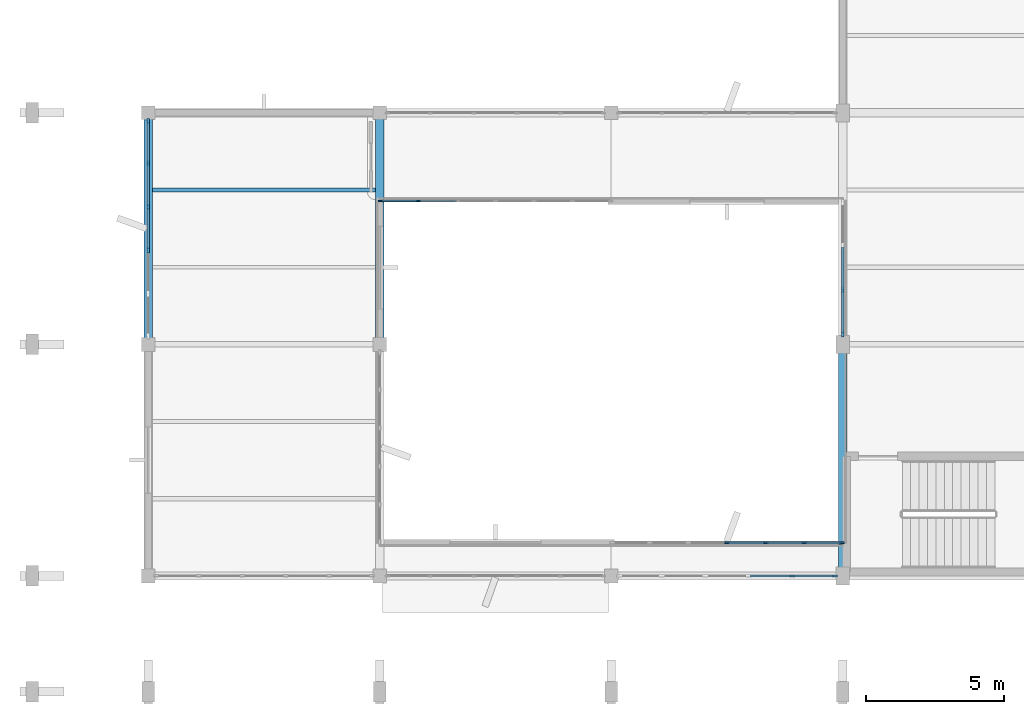
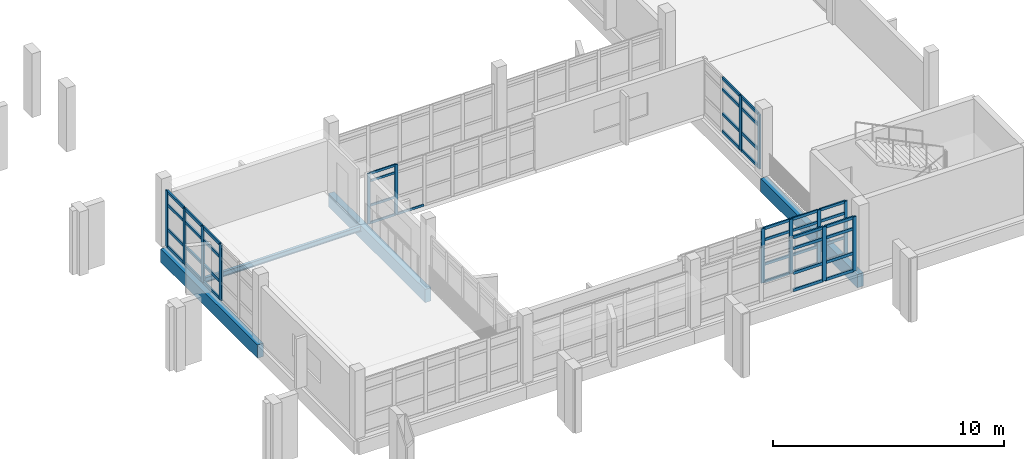
# One storey, part 8 of 104: 59 members, 4 beams, 5 elements without a shape of their own.
"""IFC4 building model written with IfcOpenShell, lengths in metres."""

from ifc_helpers import new_model, si_unit, direction, frame, origin, origin_2d, place, context, subcontext, project, spatial, rectangle, i_section, extrude, material, material_profile, profile_set, type_object, element, aggregate, save


model = new_model("IFC4")

# Units and contexts
model_context = context("Model", 3, precision=1e-05, world=origin(), true_north=direction((0.0, 1.0)))
body_context = subcontext(model_context, "Body", "Model", "MODEL_VIEW")
ifc_project = project(units=[si_unit("LENGTHUNIT", "METRE"), si_unit("AREAUNIT", "SQUARE_METRE"), si_unit("VOLUMEUNIT", "CUBIC_METRE"), si_unit("PLANEANGLEUNIT", "RADIAN"), si_unit("MASSUNIT", "GRAM", prefix="KILO")], contexts=[model_context])

# Site, building, storey
site_placement = place(None, origin())
site = spatial("IfcSite", under=ifc_project, at=site_placement, CompositionType="ELEMENT")
building_placement = place(site_placement, origin())
building = spatial("IfcBuilding", under=site, at=building_placement, Name="Vanh Quang Courtyard School", CompositionType="ELEMENT")
storey_placement = place(building_placement, frame((0.0, 0.0, 4.199951171875)))
storey = spatial("IfcBuildingStorey", under=building, at=storey_placement, Name="L01", CompositionType="ELEMENT", Elevation=4.199951171875)

# Beams
ifc_material_1 = material(Name="Concrete C35/45", Category="concrete")
ifc_material_profile_1 = material_profile(ifc_material_1, rectangle(XDim=0.300048828125, YDim=0.699951171875, at=origin_2d()), Name="RC-SP 300x700")
ifc_profile_set_1 = profile_set([ifc_material_profile_1], Name="Concrete C35/45")
beam_type_1 = type_object("IfcBeamType", Name="BM-SP-300x700", PredefinedType="SPANDREL", material=ifc_profile_set_1)
for number, where, z_axis, x_axis, name in (
    (1, (4.199951171875, 12.60009765625, -0.6298828125), (0.0, 1.0, 0.0), (-1.0, 0.0, 0.0), "Beam BS-01 (L01)"),
    (2, (12.60009765625, 12.60009765625, -0.6298828125), (0.0, 1.0, 0.0), (-1.0, 0.0, 0.0), "Beam BS-01 (L01)"),
):
    element("IfcBeam", number, at=place(storey_placement, frame(where, z_axis=z_axis, x_axis=x_axis)), inside=storey, type_object=beam_type_1, Name=name, PredefinedType="SPANDREL", context=body_context, shape_type="SweptSolid", body=[
        extrude(rectangle(XDim=0.300048828125, YDim=0.699951171875, at=origin_2d()), origin(), (0.0, 0.0, 1.0), 8.39990234375),
    ])
beam_1_placement = place(storey_placement, frame((29.39990234375, 4.199951171875, -0.6298828125), z_axis=(0.0, 1.0, 0.0), x_axis=(-1.0, 0.0, 0.0)))
element("IfcBeam", 3, at=beam_1_placement, inside=storey, type_object=beam_type_1, Name="Beam BS-01 (L01)", PredefinedType="SPANDREL", context=body_context, shape_type="SweptSolid", body=[
    extrude(rectangle(XDim=0.300048828125, YDim=0.699951171875, at=origin_2d()), origin(), (0.0, 0.0, 1.0), 8.400146484375),
])

# Curtain wall, members
ifc_material_2 = material(Name="Thermally broken aluminium unitised curtain wall", Category="aluminium")
curtain_wall_type_1 = type_object("IfcCurtainWallType", Name="CW-SYS-33", PredefinedType="NOTDEFINED", material=ifc_material_2)
curtain_wall_1_placement = place(storey_placement, origin())
curtain_wall_1 = element("IfcCurtainWall", 4, at=curtain_wall_1_placement, inside=storey, type_object=curtain_wall_type_1, Name="Curtain Wall CW-33 (L01)", PredefinedType="NOTDEFINED")
ifc_material_3 = material(Name="Anodised aluminium 6063-T6", Category="aluminium")
ifc_material_profile_2 = material_profile(ifc_material_3, rectangle(XDim=0.06005859375, YDim=0.159912109375, at=origin_2d()), Name="ALU-MUL 60x160")
ifc_profile_set_2 = profile_set([ifc_material_profile_2], Name="Anodised aluminium 6063-T6")
member_type_1 = type_object("IfcMemberType", Name="CW-MUL-60x160", PredefinedType="MULLION", material=ifc_profile_set_2)
member_1_placement = place(storey_placement, frame((14.0, 17.800048828125, 0.0), z_axis=(0.0, 0.0, 1.0), x_axis=(0.0, -1.0, 0.0)))
member_1 = element("IfcMember", 5, at=member_1_placement, type_object=member_type_1, Name="CW-33 mullion 6", PredefinedType="MULLION", context=body_context, shape_type="SweptSolid", body=[
    extrude(rectangle(XDim=0.06005859375, YDim=0.159912109375, at=origin_2d()), origin(), (0.0, 0.0, 1.0), 2.670166015625),
])
member_2_placement = place(storey_placement, frame((12.6298828125, 17.800048828125, 0.0), z_axis=(0.0, 0.0, 1.0), x_axis=(0.0, -1.0, 0.0)))
member_2 = element("IfcMember", 6, at=member_2_placement, type_object=member_type_1, Name="CW-33 mullion 7", PredefinedType="MULLION", context=body_context, shape_type="SweptSolid", body=[
    extrude(rectangle(XDim=0.06005859375, YDim=0.159912109375, at=origin_2d()), origin(), (0.0, 0.0, 1.0), 2.670166015625),
])

curtain_wall_type_2 = type_object("IfcCurtainWallType", Name="CW-SYS-31", PredefinedType="NOTDEFINED", material=ifc_material_2)
curtain_wall_2_placement = place(storey_placement, origin())
curtain_wall_2 = element("IfcCurtainWall", 7, at=curtain_wall_2_placement, inside=storey, type_object=curtain_wall_type_2, Name="Curtain Wall CW-31 (L01)", PredefinedType="NOTDEFINED")
ifc_material_profile_3 = material_profile(ifc_material_3, rectangle(XDim=0.070068359375, YDim=0.179931640625, at=origin_2d()), Name="ALU-MUL 70x180")
ifc_profile_set_3 = profile_set([ifc_material_profile_3], Name="Anodised aluminium 6063-T6")
member_type_2 = type_object("IfcMemberType", Name="CW-MUL-70x180", PredefinedType="MULLION", material=ifc_profile_set_3)
member_3_placement = place(storey_placement, frame((25.199951171875, 5.39990234375, 0.0), z_axis=(0.0, 0.0, 1.0), x_axis=(0.0, 1.0, 0.0)))
member_3 = element("IfcMember", 8, at=member_3_placement, type_object=member_type_2, Name="CW-31 mullion 4", PredefinedType="MULLION", context=body_context, shape_type="SweptSolid", body=[
    extrude(rectangle(XDim=0.070068359375, YDim=0.179931640625, at=origin_2d()), origin(), (0.0, 0.0, 1.0), 2.880126953125),
])
member_4_placement = place(storey_placement, frame((26.60009765625, 5.39990234375, 0.0), z_axis=(0.0, 0.0, 1.0), x_axis=(0.0, 1.0, 0.0)))
member_4 = element("IfcMember", 9, at=member_4_placement, type_object=member_type_2, Name="CW-31 mullion 5", PredefinedType="MULLION", context=body_context, shape_type="SweptSolid", body=[
    extrude(rectangle(XDim=0.070068359375, YDim=0.179931640625, at=origin_2d()), origin(), (0.0, 0.0, 1.0), 2.880126953125),
])
member_5_placement = place(storey_placement, frame((28.0, 5.39990234375, 0.0), z_axis=(0.0, 0.0, 1.0), x_axis=(0.0, 1.0, 0.0)))
member_5 = element("IfcMember", 10, at=member_5_placement, type_object=member_type_2, Name="CW-31 mullion 6", PredefinedType="MULLION", context=body_context, shape_type="SweptSolid", body=[
    extrude(rectangle(XDim=0.070068359375, YDim=0.179931640625, at=origin_2d()), origin(), (0.0, 0.0, 1.0), 2.880126953125),
])
member_6_placement = place(storey_placement, frame((29.364990234375, 5.39990234375, 0.0), z_axis=(0.0, 0.0, 1.0), x_axis=(0.0, 1.0, 0.0)))
member_6 = element("IfcMember", 11, at=member_6_placement, type_object=member_type_2, Name="CW-31 mullion 7", PredefinedType="MULLION", context=body_context, shape_type="SweptSolid", body=[
    extrude(rectangle(XDim=0.070068359375, YDim=0.179931640625, at=origin_2d()), origin(), (0.0, 0.0, 1.0), 2.880126953125),
])

curtain_wall_type_3 = type_object("IfcCurtainWallType", Name="CW-SYS-29", PredefinedType="NOTDEFINED", material=ifc_material_2)
curtain_wall_3_placement = place(storey_placement, origin())
curtain_wall_3 = element("IfcCurtainWall", 12, at=curtain_wall_3_placement, inside=storey, type_object=curtain_wall_type_3, Name="Curtain Wall CW-29 (L01)", PredefinedType="NOTDEFINED")
ifc_material_profile_4 = material_profile(ifc_material_3, rectangle(XDim=0.080078125, YDim=0.199951171875, at=origin_2d()), Name="ALU-MUL 80x200")
ifc_profile_set_4 = profile_set([ifc_material_profile_4], Name="Anodised aluminium 6063-T6")
member_type_3 = type_object("IfcMemberType", Name="CW-MUL-80x200", PredefinedType="MULLION", material=ifc_profile_set_4)
member_7_placement = place(storey_placement, frame((29.10205078125, 4.199951171875, 0.0), z_axis=(0.0, 0.0, 1.0), x_axis=(0.0, -1.0, 0.0)))
member_7 = element("IfcMember", 13, at=member_7_placement, type_object=member_type_3, Name="CW-29 mullion 1", PredefinedType="MULLION", context=body_context, shape_type="SweptSolid", body=[
    extrude(rectangle(XDim=0.080078125, YDim=0.199951171875, at=origin_2d()), origin(), (0.0, 0.0, 1.0), 2.8701171875),
])
member_8_placement = place(storey_placement, frame((27.565185546875, 4.199951171875, 0.0), z_axis=(0.0, 0.0, 1.0), x_axis=(0.0, -1.0, 0.0)))
member_8 = element("IfcMember", 14, at=member_8_placement, type_object=member_type_3, Name="CW-29 mullion 2", PredefinedType="MULLION", context=body_context, shape_type="SweptSolid", body=[
    extrude(rectangle(XDim=0.080078125, YDim=0.199951171875, at=origin_2d()), origin(), (0.0, 0.0, 1.0), 2.8701171875),
])

curtain_wall_type_4 = type_object("IfcCurtainWallType", Name="CW-SYS-30", PredefinedType="NOTDEFINED", material=ifc_material_2)
curtain_wall_4_placement = place(storey_placement, origin())
curtain_wall_4 = element("IfcCurtainWall", 15, at=curtain_wall_4_placement, inside=storey, type_object=curtain_wall_type_4, Name="Curtain Wall CW-30 (L01)", PredefinedType="NOTDEFINED")
member_9_placement = place(storey_placement, frame((4.199951171875, 16.01171875, 0.0), z_axis=(0.0, 0.0, 1.0), x_axis=(-1.0, 0.0, 0.0)))
member_9 = element("IfcMember", 16, at=member_9_placement, type_object=member_type_3, Name="CW-30 mullion 3", PredefinedType="MULLION", context=body_context, shape_type="SweptSolid", body=[
    extrude(rectangle(XDim=0.080078125, YDim=0.199951171875, at=origin_2d()), origin(), (0.0, 0.0, 1.0), 2.9599609375),
])
member_10_placement = place(storey_placement, frame((4.199951171875, 17.58837890625, 0.0), z_axis=(0.0, 0.0, 1.0), x_axis=(-1.0, 0.0, 0.0)))
member_10 = element("IfcMember", 17, at=member_10_placement, type_object=member_type_3, Name="CW-30 mullion 4", PredefinedType="MULLION", context=body_context, shape_type="SweptSolid", body=[
    extrude(rectangle(XDim=0.080078125, YDim=0.199951171875, at=origin_2d()), origin(), (0.0, 0.0, 1.0), 2.9599609375),
])
member_11_placement = place(storey_placement, frame((4.199951171875, 19.165283203125, 0.0), z_axis=(0.0, 0.0, 1.0), x_axis=(-1.0, 0.0, 0.0)))
member_11 = element("IfcMember", 18, at=member_11_placement, type_object=member_type_3, Name="CW-30 mullion 5", PredefinedType="MULLION", context=body_context, shape_type="SweptSolid", body=[
    extrude(rectangle(XDim=0.080078125, YDim=0.199951171875, at=origin_2d()), origin(), (0.0, 0.0, 1.0), 2.9599609375),
])
member_12_placement = place(storey_placement, frame((4.199951171875, 20.701904296875, 0.0), z_axis=(0.0, 0.0, 1.0), x_axis=(-1.0, 0.0, 0.0)))
member_12 = element("IfcMember", 19, at=member_12_placement, type_object=member_type_3, Name="CW-30 mullion 6", PredefinedType="MULLION", context=body_context, shape_type="SweptSolid", body=[
    extrude(rectangle(XDim=0.080078125, YDim=0.199951171875, at=origin_2d()), origin(), (0.0, 0.0, 1.0), 2.9599609375),
])

curtain_wall_type_5 = type_object("IfcCurtainWallType", Name="CW-SYS-32", PredefinedType="NOTDEFINED", material=ifc_material_2)
curtain_wall_5_placement = place(storey_placement, origin())
curtain_wall_5 = element("IfcCurtainWall", 20, at=curtain_wall_5_placement, inside=storey, type_object=curtain_wall_type_5, Name="Curtain Wall CW-32 (L01)", PredefinedType="NOTDEFINED")
member_13_placement = place(storey_placement, frame((29.39990234375, 12.972900390625, 0.0), z_axis=(0.0, 0.0, 1.0), x_axis=(-1.0, 0.0, 0.0)))
member_13 = element("IfcMember", 21, at=member_13_placement, type_object=member_type_3, Name="CW-32 mullion 1", PredefinedType="MULLION", context=body_context, shape_type="SweptSolid", body=[
    extrude(rectangle(XDim=0.080078125, YDim=0.199951171875, at=origin_2d()), origin(), (0.0, 0.0, 1.0), 2.880126953125),
])
member_14_placement = place(storey_placement, frame((29.39990234375, 14.555419921875, 0.0), z_axis=(0.0, 0.0, 1.0), x_axis=(-1.0, 0.0, 0.0)))
member_14 = element("IfcMember", 22, at=member_14_placement, type_object=member_type_3, Name="CW-32 mullion 2", PredefinedType="MULLION", context=body_context, shape_type="SweptSolid", body=[
    extrude(rectangle(XDim=0.080078125, YDim=0.199951171875, at=origin_2d()), origin(), (0.0, 0.0, 1.0), 2.880126953125),
])

# Member
ifc_material_profile_5 = material_profile(ifc_material_3, rectangle(XDim=0.06005859375, YDim=0.1201171875, at=origin_2d()), Name="ALU-TRN 60x120")
ifc_profile_set_5 = profile_set([ifc_material_profile_5], Name="Anodised aluminium 6063-T6")
member_type_4 = type_object("IfcMemberType", Name="CW-TRN-60x120", PredefinedType="USERDEFINED", material=ifc_profile_set_5)
member_15_placement = place(storey_placement, frame((15.3701171875, 17.800048828125, 0.030029296875), z_axis=(-1.0, 0.0, 0.0), x_axis=(0.0, -1.0, 0.0)))
member_15 = element("IfcMember", 23, at=member_15_placement, type_object=member_type_4, Name="CW-33 transom 5.1", ObjectType="TRANSOM", PredefinedType="USERDEFINED", context=body_context, shape_type="SweptSolid", body=[
    extrude(rectangle(XDim=0.06005859375, YDim=0.1201171875, at=origin_2d()), origin(), (0.0, 0.0, 1.0), 1.340087890625),
])

member_16_placement = place(storey_placement, frame((13.969970703125, 17.800048828125, 0.030029296875), z_axis=(-1.0, 0.0, 0.0), x_axis=(0.0, -1.0, 0.0)))
member_16 = element("IfcMember", 24, at=member_16_placement, type_object=member_type_4, Name="CW-33 transom 6.1", ObjectType="TRANSOM", PredefinedType="USERDEFINED", context=body_context, shape_type="SweptSolid", body=[
    extrude(rectangle(XDim=0.06005859375, YDim=0.1201171875, at=origin_2d()), origin(), (0.0, 0.0, 1.0), 1.31005859375),
])

member_17_placement = place(storey_placement, frame((13.969970703125, 17.800048828125, 0.949951171875), z_axis=(-1.0, 0.0, 0.0), x_axis=(0.0, -1.0, 0.0)))
member_17 = element("IfcMember", 25, at=member_17_placement, type_object=member_type_4, Name="CW-33 transom 6.2", ObjectType="TRANSOM", PredefinedType="USERDEFINED", context=body_context, shape_type="SweptSolid", body=[
    extrude(rectangle(XDim=0.06005859375, YDim=0.1201171875, at=origin_2d()), origin(), (0.0, 0.0, 1.0), 1.31005859375),
])

member_18_placement = place(storey_placement, frame((13.969970703125, 17.800048828125, 2.25), z_axis=(-1.0, 0.0, 0.0), x_axis=(0.0, -1.0, 0.0)))
member_18 = element("IfcMember", 26, at=member_18_placement, type_object=member_type_4, Name="CW-33 transom 6.3", ObjectType="TRANSOM", PredefinedType="USERDEFINED", context=body_context, shape_type="SweptSolid", body=[
    extrude(rectangle(XDim=0.06005859375, YDim=0.1201171875, at=origin_2d()), origin(), (0.0, 0.0, 1.0), 1.31005859375),
])

member_19_placement = place(storey_placement, frame((13.969970703125, 17.800048828125, 2.64013671875), z_axis=(-1.0, 0.0, 0.0), x_axis=(0.0, -1.0, 0.0)))
member_19 = element("IfcMember", 27, at=member_19_placement, type_object=member_type_4, Name="CW-33 transom 6.4", ObjectType="TRANSOM", PredefinedType="USERDEFINED", context=body_context, shape_type="SweptSolid", body=[
    extrude(rectangle(XDim=0.06005859375, YDim=0.1201171875, at=origin_2d()), origin(), (0.0, 0.0, 1.0), 1.31005859375),
])

aggregate(curtain_wall_1, [member_1, member_2, member_15, member_16, member_17, member_18, member_19])

ifc_material_profile_6 = material_profile(ifc_material_3, rectangle(XDim=0.070068359375, YDim=0.139892578125, at=origin_2d()), Name="ALU-TRN 70x140")
ifc_profile_set_6 = profile_set([ifc_material_profile_6], Name="Anodised aluminium 6063-T6")
member_type_5 = type_object("IfcMemberType", Name="CW-TRN-70x140", PredefinedType="USERDEFINED", material=ifc_profile_set_6)
member_20_placement = place(storey_placement, frame((25.235107421875, 5.39990234375, 0.03515625), z_axis=(1.0, 0.0, 0.0), x_axis=(0.0, 1.0, 0.0)))
member_20 = element("IfcMember", 28, at=member_20_placement, type_object=member_type_5, Name="CW-31 transom 4.1", ObjectType="TRANSOM", PredefinedType="USERDEFINED", context=body_context, shape_type="SweptSolid", body=[
    extrude(rectangle(XDim=0.070068359375, YDim=0.139892578125, at=origin_2d()), origin(), (0.0, 0.0, 1.0), 1.329833984375),
])

member_21_placement = place(storey_placement, frame((25.235107421875, 5.39990234375, 0.949951171875), z_axis=(1.0, 0.0, 0.0), x_axis=(0.0, 1.0, 0.0)))
member_21 = element("IfcMember", 29, at=member_21_placement, type_object=member_type_5, Name="CW-31 transom 4.2", ObjectType="TRANSOM", PredefinedType="USERDEFINED", context=body_context, shape_type="SweptSolid", body=[
    extrude(rectangle(XDim=0.070068359375, YDim=0.139892578125, at=origin_2d()), origin(), (0.0, 0.0, 1.0), 1.329833984375),
])

member_22_placement = place(storey_placement, frame((25.235107421875, 5.39990234375, 2.25), z_axis=(1.0, 0.0, 0.0), x_axis=(0.0, 1.0, 0.0)))
member_22 = element("IfcMember", 30, at=member_22_placement, type_object=member_type_5, Name="CW-31 transom 4.3", ObjectType="TRANSOM", PredefinedType="USERDEFINED", context=body_context, shape_type="SweptSolid", body=[
    extrude(rectangle(XDim=0.070068359375, YDim=0.139892578125, at=origin_2d()), origin(), (0.0, 0.0, 1.0), 1.329833984375),
])

member_23_placement = place(storey_placement, frame((25.235107421875, 5.39990234375, 2.844970703125), z_axis=(1.0, 0.0, 0.0), x_axis=(0.0, 1.0, 0.0)))
member_23 = element("IfcMember", 31, at=member_23_placement, type_object=member_type_5, Name="CW-31 transom 4.4", ObjectType="TRANSOM", PredefinedType="USERDEFINED", context=body_context, shape_type="SweptSolid", body=[
    extrude(rectangle(XDim=0.070068359375, YDim=0.139892578125, at=origin_2d()), origin(), (0.0, 0.0, 1.0), 1.329833984375),
])

member_24_placement = place(storey_placement, frame((26.635009765625, 5.39990234375, 0.03515625), z_axis=(1.0, 0.0, 0.0), x_axis=(0.0, 1.0, 0.0)))
member_24 = element("IfcMember", 32, at=member_24_placement, type_object=member_type_5, Name="CW-31 transom 5.1", ObjectType="TRANSOM", PredefinedType="USERDEFINED", context=body_context, shape_type="SweptSolid", body=[
    extrude(rectangle(XDim=0.070068359375, YDim=0.139892578125, at=origin_2d()), origin(), (0.0, 0.0, 1.0), 1.330078125),
])

member_25_placement = place(storey_placement, frame((26.635009765625, 5.39990234375, 0.949951171875), z_axis=(1.0, 0.0, 0.0), x_axis=(0.0, 1.0, 0.0)))
member_25 = element("IfcMember", 33, at=member_25_placement, type_object=member_type_5, Name="CW-31 transom 5.2", ObjectType="TRANSOM", PredefinedType="USERDEFINED", context=body_context, shape_type="SweptSolid", body=[
    extrude(rectangle(XDim=0.070068359375, YDim=0.139892578125, at=origin_2d()), origin(), (0.0, 0.0, 1.0), 1.330078125),
])

member_26_placement = place(storey_placement, frame((26.635009765625, 5.39990234375, 2.25), z_axis=(1.0, 0.0, 0.0), x_axis=(0.0, 1.0, 0.0)))
member_26 = element("IfcMember", 34, at=member_26_placement, type_object=member_type_5, Name="CW-31 transom 5.3", ObjectType="TRANSOM", PredefinedType="USERDEFINED", context=body_context, shape_type="SweptSolid", body=[
    extrude(rectangle(XDim=0.070068359375, YDim=0.139892578125, at=origin_2d()), origin(), (0.0, 0.0, 1.0), 1.330078125),
])

member_27_placement = place(storey_placement, frame((26.635009765625, 5.39990234375, 2.844970703125), z_axis=(1.0, 0.0, 0.0), x_axis=(0.0, 1.0, 0.0)))
member_27 = element("IfcMember", 35, at=member_27_placement, type_object=member_type_5, Name="CW-31 transom 5.4", ObjectType="TRANSOM", PredefinedType="USERDEFINED", context=body_context, shape_type="SweptSolid", body=[
    extrude(rectangle(XDim=0.070068359375, YDim=0.139892578125, at=origin_2d()), origin(), (0.0, 0.0, 1.0), 1.330078125),
])

member_28_placement = place(storey_placement, frame((28.034912109375, 5.39990234375, 0.03515625), z_axis=(1.0, 0.0, 0.0), x_axis=(0.0, 1.0, 0.0)))
member_28 = element("IfcMember", 36, at=member_28_placement, type_object=member_type_5, Name="CW-31 transom 6.1", ObjectType="TRANSOM", PredefinedType="USERDEFINED", context=body_context, shape_type="SweptSolid", body=[
    extrude(rectangle(XDim=0.070068359375, YDim=0.139892578125, at=origin_2d()), origin(), (0.0, 0.0, 1.0), 1.295166015625),
])

member_29_placement = place(storey_placement, frame((28.034912109375, 5.39990234375, 0.949951171875), z_axis=(1.0, 0.0, 0.0), x_axis=(0.0, 1.0, 0.0)))
member_29 = element("IfcMember", 37, at=member_29_placement, type_object=member_type_5, Name="CW-31 transom 6.2", ObjectType="TRANSOM", PredefinedType="USERDEFINED", context=body_context, shape_type="SweptSolid", body=[
    extrude(rectangle(XDim=0.070068359375, YDim=0.139892578125, at=origin_2d()), origin(), (0.0, 0.0, 1.0), 1.295166015625),
])

member_30_placement = place(storey_placement, frame((28.034912109375, 5.39990234375, 2.25), z_axis=(1.0, 0.0, 0.0), x_axis=(0.0, 1.0, 0.0)))
member_30 = element("IfcMember", 38, at=member_30_placement, type_object=member_type_5, Name="CW-31 transom 6.3", ObjectType="TRANSOM", PredefinedType="USERDEFINED", context=body_context, shape_type="SweptSolid", body=[
    extrude(rectangle(XDim=0.070068359375, YDim=0.139892578125, at=origin_2d()), origin(), (0.0, 0.0, 1.0), 1.295166015625),
])

member_31_placement = place(storey_placement, frame((28.034912109375, 5.39990234375, 2.844970703125), z_axis=(1.0, 0.0, 0.0), x_axis=(0.0, 1.0, 0.0)))
member_31 = element("IfcMember", 39, at=member_31_placement, type_object=member_type_5, Name="CW-31 transom 6.4", ObjectType="TRANSOM", PredefinedType="USERDEFINED", context=body_context, shape_type="SweptSolid", body=[
    extrude(rectangle(XDim=0.070068359375, YDim=0.139892578125, at=origin_2d()), origin(), (0.0, 0.0, 1.0), 1.295166015625),
])

aggregate(curtain_wall_2, [member_3, member_4, member_5, member_6, member_20, member_21, member_22, member_23, member_24, member_25, member_26, member_27, member_28, member_29, member_30, member_31])

ifc_material_profile_7 = material_profile(ifc_material_3, rectangle(XDim=0.080078125, YDim=0.14990234375, at=origin_2d()), Name="ALU-TRN 80x150")
ifc_profile_set_7 = profile_set([ifc_material_profile_7], Name="Anodised aluminium 6063-T6")
member_type_6 = type_object("IfcMemberType", Name="CW-TRN-80x150", PredefinedType="USERDEFINED", material=ifc_profile_set_7)
member_32_placement = place(storey_placement, frame((29.06201171875, 4.199951171875, 0.0400390625), z_axis=(-1.0, 0.0, 0.0), x_axis=(0.0, -1.0, 0.0)))
member_32 = element("IfcMember", 40, at=member_32_placement, type_object=member_type_6, Name="CW-29 transom 1.1", ObjectType="TRANSOM", PredefinedType="USERDEFINED", context=body_context, shape_type="SweptSolid", body=[
    extrude(rectangle(XDim=0.080078125, YDim=0.14990234375, at=origin_2d()), origin(), (0.0, 0.0, 1.0), 1.456787109375),
])

member_33_placement = place(storey_placement, frame((29.06201171875, 4.199951171875, 0.949951171875), z_axis=(-1.0, 0.0, 0.0), x_axis=(0.0, -1.0, 0.0)))
member_33 = element("IfcMember", 41, at=member_33_placement, type_object=member_type_6, Name="CW-29 transom 1.2", ObjectType="TRANSOM", PredefinedType="USERDEFINED", context=body_context, shape_type="SweptSolid", body=[
    extrude(rectangle(XDim=0.080078125, YDim=0.14990234375, at=origin_2d()), origin(), (0.0, 0.0, 1.0), 1.456787109375),
])

member_34_placement = place(storey_placement, frame((29.06201171875, 4.199951171875, 2.25), z_axis=(-1.0, 0.0, 0.0), x_axis=(0.0, -1.0, 0.0)))
member_34 = element("IfcMember", 42, at=member_34_placement, type_object=member_type_6, Name="CW-29 transom 1.3", ObjectType="TRANSOM", PredefinedType="USERDEFINED", context=body_context, shape_type="SweptSolid", body=[
    extrude(rectangle(XDim=0.080078125, YDim=0.14990234375, at=origin_2d()), origin(), (0.0, 0.0, 1.0), 1.456787109375),
])

member_35_placement = place(storey_placement, frame((29.06201171875, 4.199951171875, 2.830078125), z_axis=(-1.0, 0.0, 0.0), x_axis=(0.0, -1.0, 0.0)))
member_35 = element("IfcMember", 43, at=member_35_placement, type_object=member_type_6, Name="CW-29 transom 1.4", ObjectType="TRANSOM", PredefinedType="USERDEFINED", context=body_context, shape_type="SweptSolid", body=[
    extrude(rectangle(XDim=0.080078125, YDim=0.14990234375, at=origin_2d()), origin(), (0.0, 0.0, 1.0), 1.456787109375),
])

member_36_placement = place(storey_placement, frame((27.525146484375, 4.199951171875, 0.0400390625), z_axis=(-1.0, 0.0, 0.0), x_axis=(0.0, -1.0, 0.0)))
member_36 = element("IfcMember", 44, at=member_36_placement, type_object=member_type_6, Name="CW-29 transom 2.1", ObjectType="TRANSOM", PredefinedType="USERDEFINED", context=body_context, shape_type="SweptSolid", body=[
    extrude(rectangle(XDim=0.080078125, YDim=0.14990234375, at=origin_2d()), origin(), (0.0, 0.0, 1.0), 1.496826171875),
])

member_37_placement = place(storey_placement, frame((27.525146484375, 4.199951171875, 0.949951171875), z_axis=(-1.0, 0.0, 0.0), x_axis=(0.0, -1.0, 0.0)))
member_37 = element("IfcMember", 45, at=member_37_placement, type_object=member_type_6, Name="CW-29 transom 2.2", ObjectType="TRANSOM", PredefinedType="USERDEFINED", context=body_context, shape_type="SweptSolid", body=[
    extrude(rectangle(XDim=0.080078125, YDim=0.14990234375, at=origin_2d()), origin(), (0.0, 0.0, 1.0), 1.496826171875),
])

member_38_placement = place(storey_placement, frame((27.525146484375, 4.199951171875, 2.25), z_axis=(-1.0, 0.0, 0.0), x_axis=(0.0, -1.0, 0.0)))
member_38 = element("IfcMember", 46, at=member_38_placement, type_object=member_type_6, Name="CW-29 transom 2.3", ObjectType="TRANSOM", PredefinedType="USERDEFINED", context=body_context, shape_type="SweptSolid", body=[
    extrude(rectangle(XDim=0.080078125, YDim=0.14990234375, at=origin_2d()), origin(), (0.0, 0.0, 1.0), 1.496826171875),
])

member_39_placement = place(storey_placement, frame((27.525146484375, 4.199951171875, 2.830078125), z_axis=(-1.0, 0.0, 0.0), x_axis=(0.0, -1.0, 0.0)))
member_39 = element("IfcMember", 47, at=member_39_placement, type_object=member_type_6, Name="CW-29 transom 2.4", ObjectType="TRANSOM", PredefinedType="USERDEFINED", context=body_context, shape_type="SweptSolid", body=[
    extrude(rectangle(XDim=0.080078125, YDim=0.14990234375, at=origin_2d()), origin(), (0.0, 0.0, 1.0), 1.496826171875),
])

aggregate(curtain_wall_3, [member_7, member_8, member_32, member_33, member_34, member_35, member_36, member_37, member_38, member_39])

member_40_placement = place(storey_placement, frame((4.199951171875, 16.051513671875, 0.0400390625), z_axis=(0.0, 1.0, 0.0), x_axis=(-1.0, 0.0, 0.0)))
member_40 = element("IfcMember", 48, at=member_40_placement, type_object=member_type_6, Name="CW-30 transom 3.1", ObjectType="TRANSOM", PredefinedType="USERDEFINED", context=body_context, shape_type="SweptSolid", body=[
    extrude(rectangle(XDim=0.080078125, YDim=0.14990234375, at=origin_2d()), origin(), (0.0, 0.0, 1.0), 1.496826171875),
])

member_41_placement = place(storey_placement, frame((4.199951171875, 16.051513671875, 0.949951171875), z_axis=(0.0, 1.0, 0.0), x_axis=(-1.0, 0.0, 0.0)))
member_41 = element("IfcMember", 49, at=member_41_placement, type_object=member_type_6, Name="CW-30 transom 3.2", ObjectType="TRANSOM", PredefinedType="USERDEFINED", context=body_context, shape_type="SweptSolid", body=[
    extrude(rectangle(XDim=0.080078125, YDim=0.14990234375, at=origin_2d()), origin(), (0.0, 0.0, 1.0), 1.496826171875),
])

member_42_placement = place(storey_placement, frame((4.199951171875, 16.051513671875, 2.25), z_axis=(0.0, 1.0, 0.0), x_axis=(-1.0, 0.0, 0.0)))
member_42 = element("IfcMember", 50, at=member_42_placement, type_object=member_type_6, Name="CW-30 transom 3.3", ObjectType="TRANSOM", PredefinedType="USERDEFINED", context=body_context, shape_type="SweptSolid", body=[
    extrude(rectangle(XDim=0.080078125, YDim=0.14990234375, at=origin_2d()), origin(), (0.0, 0.0, 1.0), 1.496826171875),
])

member_43_placement = place(storey_placement, frame((4.199951171875, 16.051513671875, 2.920166015625), z_axis=(0.0, 1.0, 0.0), x_axis=(-1.0, 0.0, 0.0)))
member_43 = element("IfcMember", 51, at=member_43_placement, type_object=member_type_6, Name="CW-30 transom 3.4", ObjectType="TRANSOM", PredefinedType="USERDEFINED", context=body_context, shape_type="SweptSolid", body=[
    extrude(rectangle(XDim=0.080078125, YDim=0.14990234375, at=origin_2d()), origin(), (0.0, 0.0, 1.0), 1.496826171875),
])

member_44_placement = place(storey_placement, frame((4.199951171875, 17.62841796875, 0.0400390625), z_axis=(0.0, 1.0, 0.0), x_axis=(-1.0, 0.0, 0.0)))
member_44 = element("IfcMember", 52, at=member_44_placement, type_object=member_type_6, Name="CW-30 transom 4.1", ObjectType="TRANSOM", PredefinedType="USERDEFINED", context=body_context, shape_type="SweptSolid", body=[
    extrude(rectangle(XDim=0.080078125, YDim=0.14990234375, at=origin_2d()), origin(), (0.0, 0.0, 1.0), 1.496826171875),
])

member_45_placement = place(storey_placement, frame((4.199951171875, 17.62841796875, 0.949951171875), z_axis=(0.0, 1.0, 0.0), x_axis=(-1.0, 0.0, 0.0)))
member_45 = element("IfcMember", 53, at=member_45_placement, type_object=member_type_6, Name="CW-30 transom 4.2", ObjectType="TRANSOM", PredefinedType="USERDEFINED", context=body_context, shape_type="SweptSolid", body=[
    extrude(rectangle(XDim=0.080078125, YDim=0.14990234375, at=origin_2d()), origin(), (0.0, 0.0, 1.0), 1.496826171875),
])

member_46_placement = place(storey_placement, frame((4.199951171875, 17.62841796875, 2.25), z_axis=(0.0, 1.0, 0.0), x_axis=(-1.0, 0.0, 0.0)))
member_46 = element("IfcMember", 54, at=member_46_placement, type_object=member_type_6, Name="CW-30 transom 4.3", ObjectType="TRANSOM", PredefinedType="USERDEFINED", context=body_context, shape_type="SweptSolid", body=[
    extrude(rectangle(XDim=0.080078125, YDim=0.14990234375, at=origin_2d()), origin(), (0.0, 0.0, 1.0), 1.496826171875),
])

member_47_placement = place(storey_placement, frame((4.199951171875, 17.62841796875, 2.920166015625), z_axis=(0.0, 1.0, 0.0), x_axis=(-1.0, 0.0, 0.0)))
member_47 = element("IfcMember", 55, at=member_47_placement, type_object=member_type_6, Name="CW-30 transom 4.4", ObjectType="TRANSOM", PredefinedType="USERDEFINED", context=body_context, shape_type="SweptSolid", body=[
    extrude(rectangle(XDim=0.080078125, YDim=0.14990234375, at=origin_2d()), origin(), (0.0, 0.0, 1.0), 1.496826171875),
])

member_48_placement = place(storey_placement, frame((4.199951171875, 19.205078125, 0.0400390625), z_axis=(0.0, 1.0, 0.0), x_axis=(-1.0, 0.0, 0.0)))
member_48 = element("IfcMember", 56, at=member_48_placement, type_object=member_type_6, Name="CW-30 transom 5.1", ObjectType="TRANSOM", PredefinedType="USERDEFINED", context=body_context, shape_type="SweptSolid", body=[
    extrude(rectangle(XDim=0.080078125, YDim=0.14990234375, at=origin_2d()), origin(), (0.0, 0.0, 1.0), 1.45703125),
])

member_49_placement = place(storey_placement, frame((4.199951171875, 19.205078125, 0.949951171875), z_axis=(0.0, 1.0, 0.0), x_axis=(-1.0, 0.0, 0.0)))
member_49 = element("IfcMember", 57, at=member_49_placement, type_object=member_type_6, Name="CW-30 transom 5.2", ObjectType="TRANSOM", PredefinedType="USERDEFINED", context=body_context, shape_type="SweptSolid", body=[
    extrude(rectangle(XDim=0.080078125, YDim=0.14990234375, at=origin_2d()), origin(), (0.0, 0.0, 1.0), 1.45703125),
])

member_50_placement = place(storey_placement, frame((4.199951171875, 19.205078125, 2.25), z_axis=(0.0, 1.0, 0.0), x_axis=(-1.0, 0.0, 0.0)))
member_50 = element("IfcMember", 58, at=member_50_placement, type_object=member_type_6, Name="CW-30 transom 5.3", ObjectType="TRANSOM", PredefinedType="USERDEFINED", context=body_context, shape_type="SweptSolid", body=[
    extrude(rectangle(XDim=0.080078125, YDim=0.14990234375, at=origin_2d()), origin(), (0.0, 0.0, 1.0), 1.45703125),
])

member_51_placement = place(storey_placement, frame((4.199951171875, 19.205078125, 2.920166015625), z_axis=(0.0, 1.0, 0.0), x_axis=(-1.0, 0.0, 0.0)))
member_51 = element("IfcMember", 59, at=member_51_placement, type_object=member_type_6, Name="CW-30 transom 5.4", ObjectType="TRANSOM", PredefinedType="USERDEFINED", context=body_context, shape_type="SweptSolid", body=[
    extrude(rectangle(XDim=0.080078125, YDim=0.14990234375, at=origin_2d()), origin(), (0.0, 0.0, 1.0), 1.45703125),
])

aggregate(curtain_wall_4, [member_9, member_10, member_11, member_12, member_40, member_41, member_42, member_43, member_44, member_45, member_46, member_47, member_48, member_49, member_50, member_51])

member_52_placement = place(storey_placement, frame((29.39990234375, 13.012939453125, 0.0400390625), z_axis=(0.0, 1.0, 0.0), x_axis=(-1.0, 0.0, 0.0)))
member_52 = element("IfcMember", 60, at=member_52_placement, type_object=member_type_6, Name="CW-32 transom 1.1", ObjectType="TRANSOM", PredefinedType="USERDEFINED", context=body_context, shape_type="SweptSolid", body=[
    extrude(rectangle(XDim=0.080078125, YDim=0.14990234375, at=origin_2d()), origin(), (0.0, 0.0, 1.0), 1.50244140625),
])

member_53_placement = place(storey_placement, frame((29.39990234375, 13.012939453125, 0.949951171875), z_axis=(0.0, 1.0, 0.0), x_axis=(-1.0, 0.0, 0.0)))
member_53 = element("IfcMember", 61, at=member_53_placement, type_object=member_type_6, Name="CW-32 transom 1.2", ObjectType="TRANSOM", PredefinedType="USERDEFINED", context=body_context, shape_type="SweptSolid", body=[
    extrude(rectangle(XDim=0.080078125, YDim=0.14990234375, at=origin_2d()), origin(), (0.0, 0.0, 1.0), 1.50244140625),
])

member_54_placement = place(storey_placement, frame((29.39990234375, 13.012939453125, 2.25), z_axis=(0.0, 1.0, 0.0), x_axis=(-1.0, 0.0, 0.0)))
member_54 = element("IfcMember", 62, at=member_54_placement, type_object=member_type_6, Name="CW-32 transom 1.3", ObjectType="TRANSOM", PredefinedType="USERDEFINED", context=body_context, shape_type="SweptSolid", body=[
    extrude(rectangle(XDim=0.080078125, YDim=0.14990234375, at=origin_2d()), origin(), (0.0, 0.0, 1.0), 1.50244140625),
])

member_55_placement = place(storey_placement, frame((29.39990234375, 13.012939453125, 2.840087890625), z_axis=(0.0, 1.0, 0.0), x_axis=(-1.0, 0.0, 0.0)))
member_55 = element("IfcMember", 63, at=member_55_placement, type_object=member_type_6, Name="CW-32 transom 1.4", ObjectType="TRANSOM", PredefinedType="USERDEFINED", context=body_context, shape_type="SweptSolid", body=[
    extrude(rectangle(XDim=0.080078125, YDim=0.14990234375, at=origin_2d()), origin(), (0.0, 0.0, 1.0), 1.50244140625),
])

member_56_placement = place(storey_placement, frame((29.39990234375, 14.59521484375, 0.0400390625), z_axis=(0.0, 1.0, 0.0), x_axis=(-1.0, 0.0, 0.0)))
member_56 = element("IfcMember", 64, at=member_56_placement, type_object=member_type_6, Name="CW-32 transom 2.1", ObjectType="TRANSOM", PredefinedType="USERDEFINED", context=body_context, shape_type="SweptSolid", body=[
    extrude(rectangle(XDim=0.080078125, YDim=0.14990234375, at=origin_2d()), origin(), (0.0, 0.0, 1.0), 1.54248046875),
])

member_57_placement = place(storey_placement, frame((29.39990234375, 14.59521484375, 0.949951171875), z_axis=(0.0, 1.0, 0.0), x_axis=(-1.0, 0.0, 0.0)))
member_57 = element("IfcMember", 65, at=member_57_placement, type_object=member_type_6, Name="CW-32 transom 2.2", ObjectType="TRANSOM", PredefinedType="USERDEFINED", context=body_context, shape_type="SweptSolid", body=[
    extrude(rectangle(XDim=0.080078125, YDim=0.14990234375, at=origin_2d()), origin(), (0.0, 0.0, 1.0), 1.54248046875),
])

member_58_placement = place(storey_placement, frame((29.39990234375, 14.59521484375, 2.25), z_axis=(0.0, 1.0, 0.0), x_axis=(-1.0, 0.0, 0.0)))
member_58 = element("IfcMember", 66, at=member_58_placement, type_object=member_type_6, Name="CW-32 transom 2.3", ObjectType="TRANSOM", PredefinedType="USERDEFINED", context=body_context, shape_type="SweptSolid", body=[
    extrude(rectangle(XDim=0.080078125, YDim=0.14990234375, at=origin_2d()), origin(), (0.0, 0.0, 1.0), 1.54248046875),
])

member_59_placement = place(storey_placement, frame((29.39990234375, 14.59521484375, 2.840087890625), z_axis=(0.0, 1.0, 0.0), x_axis=(-1.0, 0.0, 0.0)))
member_59 = element("IfcMember", 67, at=member_59_placement, type_object=member_type_6, Name="CW-32 transom 2.4", ObjectType="TRANSOM", PredefinedType="USERDEFINED", context=body_context, shape_type="SweptSolid", body=[
    extrude(rectangle(XDim=0.080078125, YDim=0.14990234375, at=origin_2d()), origin(), (0.0, 0.0, 1.0), 1.54248046875),
])

aggregate(curtain_wall_5, [member_13, member_14, member_52, member_53, member_54, member_55, member_56, member_57, member_58, member_59])

# Beam
ifc_material_4 = material(Name="Structural steel EN 10025-2 S355J2", Category="steel")
ifc_material_profile_8 = material_profile(ifc_material_4, i_section(OverallWidth=0.135009765625, OverallDepth=0.27001953125, WebThickness=0.006591796875, FlangeThickness=0.01025390625, FilletRadius=0.014892578125, at=origin_2d()), Name="IPE 270")
ifc_profile_set_8 = profile_set([ifc_material_profile_8], Name="Structural steel EN 10025-2 S355J2")
beam_type_2 = type_object("IfcBeamType", Name="JST-STL-IPE270", PredefinedType="JOIST", material=ifc_profile_set_8)
beam_2_placement = place(storey_placement, frame((4.35009765625, 18.199951171875, -0.4150390625), z_axis=(1.0, 0.0, 0.0), x_axis=(0.0, 1.0, 0.0)))
element("IfcBeam", 68, at=beam_2_placement, inside=storey, type_object=beam_type_2, Name="Beam SJ-03 (L01)", PredefinedType="JOIST", context=body_context, shape_type="SweptSolid", body=[
    extrude(i_section(OverallWidth=0.135009765625, OverallDepth=0.27001953125, WebThickness=0.006591796875, FlangeThickness=0.01025390625, FilletRadius=0.014892578125, at=origin_2d()), origin(), (0.0, 0.0, 1.0), 8.099853515625),
])

save(model, "model.ifc")
